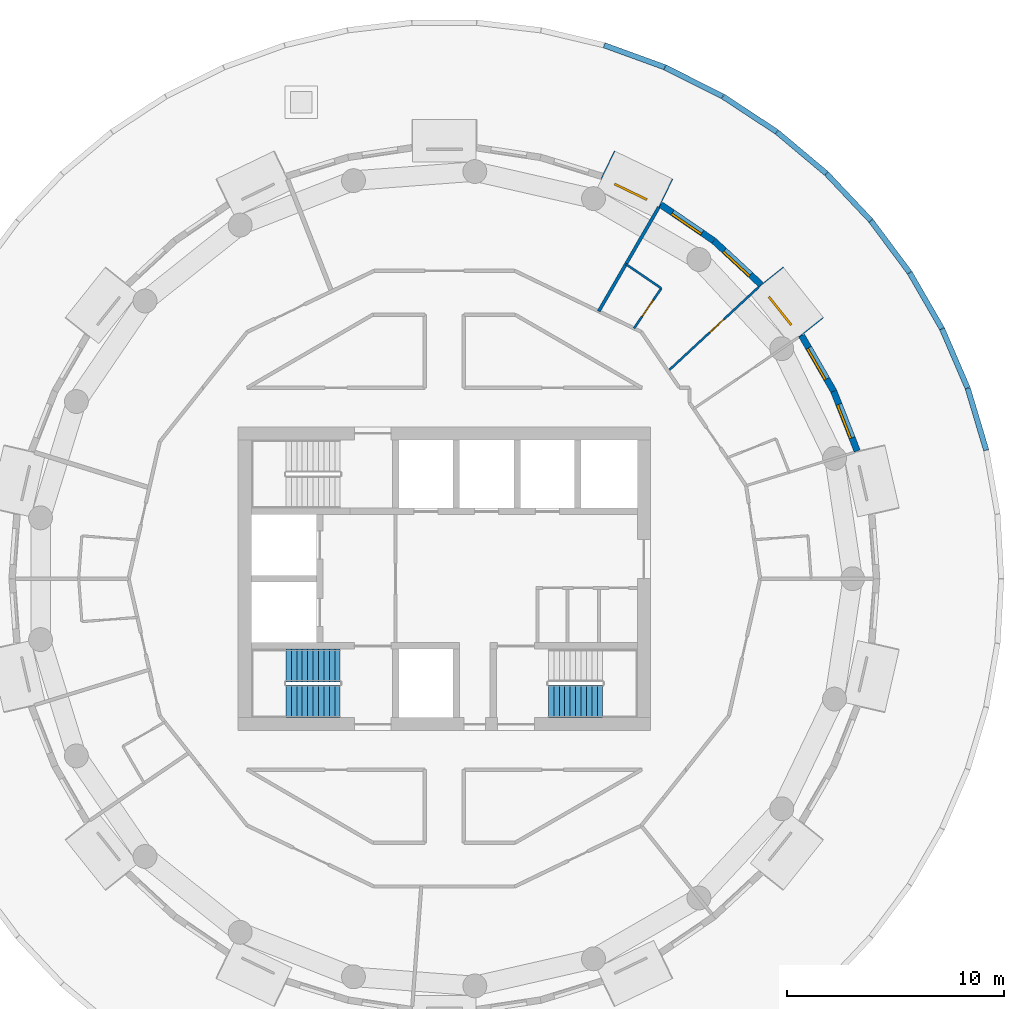
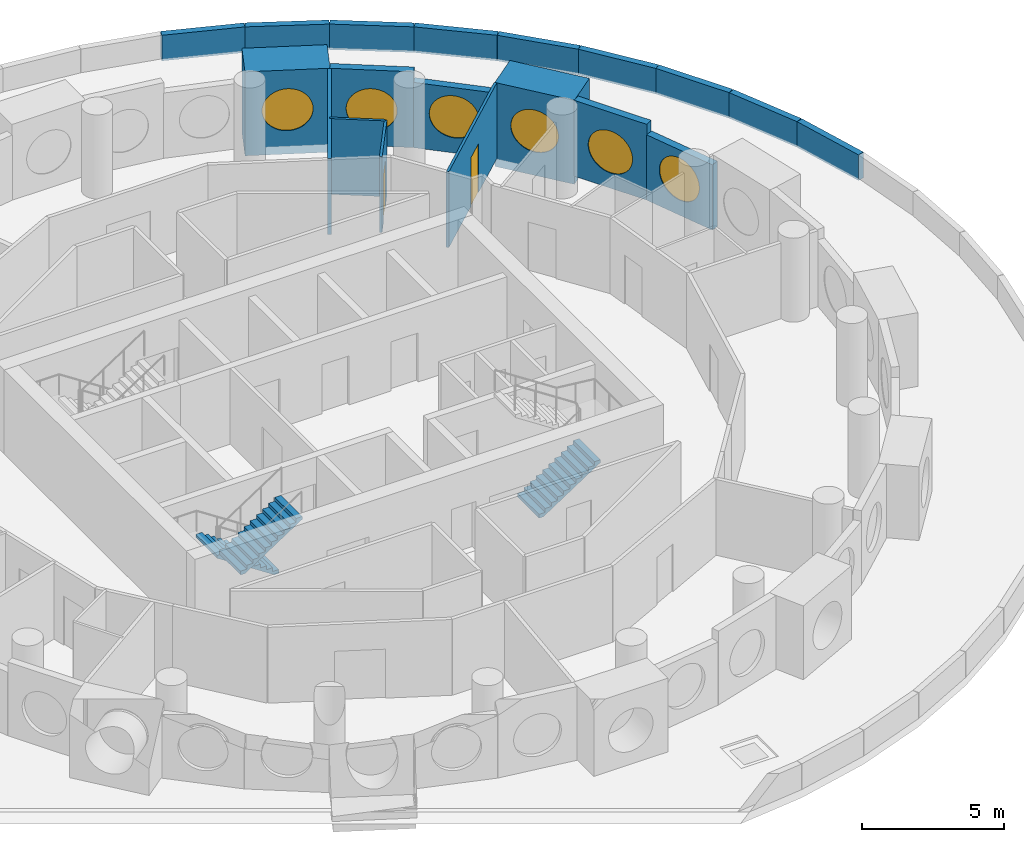
# One storey, part 10 of 13: 19 walls, 6 windows, 3 stair flights, 2 doors, 8 openings, 2 elements without a shape of their own.
"""IFC4 building model written with IfcOpenShell, lengths in metres."""

from ifc_helpers import new_model, si_unit, direction, frame, frame_2d, origin, origin_2d, place, context, subcontext, project, spatial, polyline, rectangle, circle, outline, extrude, material, layer, layer_set, type_object, element, fill, aggregate, save


model = new_model("IFC4")

# Units and contexts
model_context = context("Model", 3, precision=1e-05, world=origin(), true_north=direction((0.0, 1.0)))
body_context = subcontext(model_context, "Body", "Model", "MODEL_VIEW")
ifc_project = project(units=[si_unit("LENGTHUNIT", "METRE"), si_unit("AREAUNIT", "SQUARE_METRE"), si_unit("VOLUMEUNIT", "CUBIC_METRE"), si_unit("PLANEANGLEUNIT", "RADIAN"), si_unit("MASSUNIT", "GRAM", prefix="KILO")], contexts=[model_context])

# Site, building, storey
site_placement = place(None, origin())
site = spatial("IfcSite", under=ifc_project, at=site_placement, CompositionType="ELEMENT")
building_placement = place(site_placement, origin())
building = spatial("IfcBuilding", under=site, at=building_placement, Name="Tracery Tower", CompositionType="ELEMENT")
storey_placement = place(building_placement, frame((0.0, 0.0, 231.0)))
storey = spatial("IfcBuildingStorey", under=building, at=storey_placement, Name="L59", CompositionType="ELEMENT", Elevation=231.0)

# Wall, opening, window
ifc_material_1 = material(Name="Precast concrete C50/60", Category="concrete")
ifc_layer_1 = layer(ifc_material_1, 1.449951171875)
ifc_layer_set_1 = layer_set([ifc_layer_1], Name="Deep-set bay unit 3000 x 3600, slab edge 350")
wall_type_1 = type_object("IfcWallType", Name="Deep-set bay unit 3000 x 3600, slab edge 350", PredefinedType="ELEMENTEDWALL", material=ifc_layer_set_1)
wall_1_placement = place(storey_placement, frame((16.916748046875, 11.572021484375, -0.35009765625), z_axis=(0.0, 0.0, 1.0), x_axis=(-0.623523286312, 0.781804778335, 0.0)))
wall_1 = element("IfcWall", 1, at=wall_1_placement, inside=storey, type_object=wall_type_1, Name="Deep-set bay unit 5 at L59", PredefinedType="ELEMENTEDWALL", context=body_context, shape_type="SweptSolid", body=[
    extrude(rectangle(XDim=3.0, YDim=1.449951171875, at=frame_2d((1.5, 0.0))), origin(), (0.0, 0.0, 1.0), 3.60009765625),
])
opening_1_placement = place(wall_1_placement, frame((1.5, 0.0, 1.89990234375)))
opening_1 = element("IfcOpeningElement", 2, at=opening_1_placement, cuts=wall_1, Name="Opening WN1", PredefinedType="OPENING", context=body_context, shape_type="SweptSolid", body=[
    extrude(circle(Radius=0.9000244140625, at=origin_2d()), frame((0.0, 0.73486328125, 0.0), z_axis=(0.0, -1.0, 0.0), x_axis=(1.0, 0.0, 0.0)), (0.0, 0.0, 1.0), 1.469970703125),
])
ifc_material_2 = material(Name="Aluminium frame with tinted double glazing", Category="aluminium")
window_type = type_object("IfcWindowType", Name="Round window 1800", PartitioningType="SINGLE_PANEL", PredefinedType="WINDOW", material=ifc_material_2)
window_1_placement = place(opening_1_placement, origin())
window_1 = element("IfcWindow", 3, at=window_1_placement, inside=storey, type_object=window_type, Name="Round window 5 at L59", OverallHeight=1.800048828125, OverallWidth=1.800048828125, PartitioningType="SINGLE_PANEL", PredefinedType="WINDOW", context=body_context, shape_type="SweptSolid", body=[
    extrude(circle(Radius=0.9000244140625, at=origin_2d()), frame((0.0, 0.69482421875, 0.0), z_axis=(0.0, -1.0, 0.0), x_axis=(1.0, 0.0, 0.0)), (0.0, 0.0, 1.0), 0.10009765625),
])
fill(opening_1, window_1)

wall_2_placement = place(storey_placement, frame((10.220458984375, 17.765869140625, -0.35009765625), z_axis=(0.0, 0.0, 1.0), x_axis=(-0.900953362039, 0.433915935904, 0.0)))
wall_2 = element("IfcWall", 4, at=wall_2_placement, inside=storey, type_object=wall_type_1, Name="Deep-set bay unit 8 at L59", PredefinedType="ELEMENTEDWALL", context=body_context, shape_type="SweptSolid", body=[
    extrude(rectangle(XDim=3.0, YDim=1.449951171875, at=frame_2d((1.5, 0.0))), origin(), (0.0, 0.0, 1.0), 3.60009765625),
])
opening_2_placement = place(wall_2_placement, frame((1.5, 0.0, 1.89990234375)))
opening_2 = element("IfcOpeningElement", 5, at=opening_2_placement, cuts=wall_2, Name="Opening WN1", PredefinedType="OPENING", context=body_context, shape_type="SweptSolid", body=[
    extrude(circle(Radius=0.9000244140625, at=origin_2d()), frame((0.0, 0.73486328125, 0.0), z_axis=(0.0, -1.0, 0.0), x_axis=(1.0, 0.0, 0.0)), (0.0, 0.0, 1.0), 1.469970703125),
])
window_2_placement = place(opening_2_placement, origin())
window_2 = element("IfcWindow", 6, at=window_2_placement, inside=storey, type_object=window_type, Name="Round window 8 at L59", OverallHeight=1.800048828125, OverallWidth=1.800048828125, PartitioningType="SINGLE_PANEL", PredefinedType="WINDOW", context=body_context, shape_type="SweptSolid", body=[
    extrude(circle(Radius=0.9000244140625, at=origin_2d()), frame((0.0, 0.69482421875, 0.0), z_axis=(0.0, -1.0, 0.0), x_axis=(1.0, 0.0, 0.0)), (0.0, 0.0, 1.0), 0.10009765625),
])
fill(opening_2, window_2)

ifc_material_3 = material(Name="Precast concrete C50/60", Category="concrete")
ifc_layer_2 = layer(ifc_material_3, 0.300048828125)
ifc_layer_set_2 = layer_set([ifc_layer_2], Name="Facade panel 3000 x 2800")
wall_type_2 = type_object("IfcWallType", Name="Facade panel 3000 x 2800", PredefinedType="SOLIDWALL", material=ifc_layer_set_2)
wall_3_placement = place(storey_placement, frame((19.03125, 5.88623046875, 0.0), z_axis=(0.0, 0.0, 1.0), x_axis=(-0.365343821297, 0.930872650925, 0.0)))
wall_3 = element("IfcWall", 7, at=wall_3_placement, inside=storey, type_object=wall_type_2, Name="Facade panel 3 at L59", PredefinedType="SOLIDWALL", context=body_context, shape_type="SweptSolid", body=[
    extrude(rectangle(XDim=2.96240234375, YDim=0.300048828125, at=frame_2d((1.481201171875, 0.0))), origin(), (0.0, 0.0, 1.0), 2.800048828125),
])
opening_3_placement = place(wall_3_placement, frame((1.48095703125, 0.0, 1.5498046875)))
opening_3 = element("IfcOpeningElement", 8, at=opening_3_placement, cuts=wall_3, Name="Opening WN1", PredefinedType="OPENING", context=body_context, shape_type="SweptSolid", body=[
    extrude(circle(Radius=0.9000244140625, at=origin_2d()), frame((0.0, 0.159912109375, 0.0), z_axis=(0.0, -1.0, 0.0), x_axis=(1.0, 0.0, 0.0)), (0.0, 0.0, 1.0), 0.320068359375),
])
window_3_placement = place(opening_3_placement, origin())
window_3 = element("IfcWindow", 9, at=window_3_placement, inside=storey, type_object=window_type, Name="Round window 3 at L59", OverallHeight=1.800048828125, OverallWidth=1.800048828125, PartitioningType="SINGLE_PANEL", PredefinedType="WINDOW", context=body_context, shape_type="SweptSolid", body=[
    extrude(circle(Radius=0.9000244140625, at=origin_2d()), frame((0.0, 0.1201171875, 0.0), z_axis=(0.0, -1.0, 0.0), x_axis=(1.0, 0.0, 0.0)), (0.0, 0.0, 1.0), 0.10009765625),
])
fill(opening_3, window_3)

wall_4_placement = place(storey_placement, frame((14.592529296875, 13.560546875, 0.0), z_axis=(0.0, 0.0, 1.0), x_axis=(-0.733028283666, 0.680198158882, 0.0)))
wall_4 = element("IfcWall", 10, at=wall_4_placement, inside=storey, type_object=wall_type_2, Name="Facade panel 6 at L59", PredefinedType="SOLIDWALL", context=body_context, shape_type="SweptSolid", body=[
    extrude(rectangle(XDim=2.962158203125, YDim=0.300048828125, at=frame_2d((1.48095703125, 0.0))), origin(), (0.0, 0.0, 1.0), 2.800048828125),
])
opening_4_placement = place(wall_4_placement, frame((1.48095703125, 0.0, 1.5498046875)))
opening_4 = element("IfcOpeningElement", 11, at=opening_4_placement, cuts=wall_4, Name="Opening WN1", PredefinedType="OPENING", context=body_context, shape_type="SweptSolid", body=[
    extrude(circle(Radius=0.9000244140625, at=origin_2d()), frame((0.0, 0.159912109375, 0.0), z_axis=(0.0, -1.0, 0.0), x_axis=(1.0, 0.0, 0.0)), (0.0, 0.0, 1.0), 0.320068359375),
])
window_4_placement = place(opening_4_placement, origin())
window_4 = element("IfcWindow", 12, at=window_4_placement, inside=storey, type_object=window_type, Name="Round window 6 at L59", OverallHeight=1.800048828125, OverallWidth=1.800048828125, PartitioningType="SINGLE_PANEL", PredefinedType="WINDOW", context=body_context, shape_type="SweptSolid", body=[
    extrude(circle(Radius=0.9000244140625, at=origin_2d()), frame((0.0, 0.1201171875, 0.0), z_axis=(0.0, -1.0, 0.0), x_axis=(1.0, 0.0, 0.0)), (0.0, 0.0, 1.0), 0.10009765625),
])
fill(opening_4, window_4)

ifc_material_4 = material(Name="Precast concrete C50/60", Category="concrete")
ifc_layer_3 = layer(ifc_material_4, 0.300048828125)
ifc_layer_set_3 = layer_set([ifc_layer_3], Name="Facade panel 3000 x 3250")
wall_type_3 = type_object("IfcWallType", Name="Facade panel 3000 x 3250", PredefinedType="SOLIDWALL", material=ifc_layer_set_3)
wall_5_placement = place(storey_placement, frame((17.948974609375, 8.643798828125, 0.0), z_axis=(0.0, 0.0, 1.0), x_axis=(-0.500012570604, 0.866018146021, 0.0)))
wall_5 = element("IfcWall", 13, at=wall_5_placement, inside=storey, type_object=wall_type_3, Name="Facade panel 4 at L59", PredefinedType="SOLIDWALL", context=body_context, shape_type="SweptSolid", body=[
    extrude(rectangle(XDim=2.96240234375, YDim=0.300048828125, at=frame_2d((1.481201171875, 0.0))), origin(), (0.0, 0.0, 1.0), 3.25),
])
opening_5_placement = place(wall_5_placement, frame((1.48095703125, 0.0, 1.5498046875)))
opening_5 = element("IfcOpeningElement", 14, at=opening_5_placement, cuts=wall_5, Name="Opening WN1", PredefinedType="OPENING", context=body_context, shape_type="SweptSolid", body=[
    extrude(circle(Radius=0.9000244140625, at=origin_2d()), frame((0.0, 0.159912109375, 0.0), z_axis=(0.0, -1.0, 0.0), x_axis=(1.0, 0.0, 0.0)), (0.0, 0.0, 1.0), 0.320068359375),
])
window_5_placement = place(opening_5_placement, origin())
window_5 = element("IfcWindow", 15, at=window_5_placement, inside=storey, type_object=window_type, Name="Round window 4 at L59", OverallHeight=1.800048828125, OverallWidth=1.800048828125, PartitioningType="SINGLE_PANEL", PredefinedType="WINDOW", context=body_context, shape_type="SweptSolid", body=[
    extrude(circle(Radius=0.9000244140625, at=origin_2d()), frame((0.0, 0.1201171875, 0.0), z_axis=(0.0, -1.0, 0.0), x_axis=(1.0, 0.0, 0.0)), (0.0, 0.0, 1.0), 0.10009765625),
])
fill(opening_5, window_5)

wall_6_placement = place(storey_placement, frame((12.421142578125, 15.575439453125, 0.0), z_axis=(0.0, 0.0, 1.0), x_axis=(-0.826236061068, 0.563324037646, 0.0)))
wall_6 = element("IfcWall", 16, at=wall_6_placement, inside=storey, type_object=wall_type_3, Name="Facade panel 7 at L59", PredefinedType="SOLIDWALL", context=body_context, shape_type="SweptSolid", body=[
    extrude(rectangle(XDim=2.962158203125, YDim=0.300048828125, at=frame_2d((1.48095703125, 0.0))), origin(), (0.0, 0.0, 1.0), 3.25),
])
opening_6_placement = place(wall_6_placement, frame((1.48095703125, 0.0, 1.5498046875)))
opening_6 = element("IfcOpeningElement", 17, at=opening_6_placement, cuts=wall_6, Name="Opening WN1", PredefinedType="OPENING", context=body_context, shape_type="SweptSolid", body=[
    extrude(circle(Radius=0.9000244140625, at=origin_2d()), frame((0.0, 0.159912109375, 0.0), z_axis=(0.0, -1.0, 0.0), x_axis=(1.0, 0.0, 0.0)), (0.0, 0.0, 1.0), 0.320068359375),
])
window_6_placement = place(opening_6_placement, origin())
window_6 = element("IfcWindow", 18, at=window_6_placement, inside=storey, type_object=window_type, Name="Round window 7 at L59", OverallHeight=1.800048828125, OverallWidth=1.800048828125, PartitioningType="SINGLE_PANEL", PredefinedType="WINDOW", context=body_context, shape_type="SweptSolid", body=[
    extrude(circle(Radius=0.9000244140625, at=origin_2d()), frame((0.0, 0.1201171875, 0.0), z_axis=(0.0, -1.0, 0.0), x_axis=(1.0, 0.0, 0.0)), (0.0, 0.0, 1.0), 0.10009765625),
])
fill(opening_6, window_6)

# Wall, opening, door
ifc_material_5 = material(Name="Plasterboard on steel studs", Category="steel")
ifc_layer_4 = layer(ifc_material_5, 0.10009765625)
ifc_layer_set_4 = layer_set([ifc_layer_4], Name="Partition 100 stud")
wall_type_4 = type_object("IfcWallType", Name="Partition 100 stud", PredefinedType="PARTITIONING", material=ifc_layer_set_4)
wall_7_placement = place(storey_placement, frame((10.31201171875, 9.568115234375, 0.0), z_axis=(0.0, 0.0, 1.0), x_axis=(0.733002312561, 0.680226146057, 0.0)))
wall_7 = element("IfcWall", 19, at=wall_7_placement, inside=storey, type_object=wall_type_4, Name="Stud partition RC1-050", PredefinedType="PARTITIONING", context=body_context, shape_type="SweptSolid", body=[
    extrude(rectangle(XDim=5.703857421875, YDim=0.10009765625, at=frame_2d((2.85205078125, 0.0))), origin(), (0.0, 0.0, 1.0), 3.25),
])
opening_7_placement = place(wall_7_placement, frame((2.6220703125, 0.0, 0.0)))
opening_7 = element("IfcOpeningElement", 20, at=opening_7_placement, cuts=wall_7, Name="Opening RC1-10", PredefinedType="OPENING", context=body_context, shape_type="SweptSolid", body=[
    extrude(rectangle(XDim=0.89990234375, YDim=2.10009765625, at=frame_2d((0.449951171875, 1.050048828125))), frame((0.0, 0.050048828125, 0.0), z_axis=(0.0, -1.0, 0.0), x_axis=(1.0, 0.0, 0.0)), (0.0, 0.0, 1.0), 0.10009765625),
])
ifc_material_6 = material(Name="Timber door leaf", Category="wood")
door_type_1 = type_object("IfcDoorType", Name="Door bedroom 900", OperationType="NOTDEFINED", PredefinedType="DOOR", material=ifc_material_6)
door_1_placement = place(opening_7_placement, origin())
door_1 = element("IfcDoor", 21, at=door_1_placement, inside=storey, type_object=door_type_1, Name="Bedroom door RC1-10", OperationType="SINGLE_SWING_RIGHT", OverallHeight=2.10009765625, OverallWidth=0.89990234375, PredefinedType="DOOR", context=body_context, shape_type="SweptSolid", body=[
    extrude(rectangle(XDim=0.89990234375, YDim=2.10009765625, at=frame_2d((0.449951171875, 1.050048828125))), frame((0.0, 0.02490234375, 0.0), z_axis=(0.0, -1.0, 0.0), x_axis=(1.0, 0.0, 0.0)), (0.0, 0.0, 1.0), 0.050048828125),
])
fill(opening_7, door_1)

ifc_material_7 = material(Name="Plasterboard on steel studs", Category="steel")
ifc_layer_5 = layer(ifc_material_7, 0.10009765625)
ifc_layer_set_5 = layer_set([ifc_layer_5], Name="Partition 100 wet wall")
wall_type_5 = type_object("IfcWallType", Name="Partition 100 wet wall", PredefinedType="PARTITIONING", material=ifc_layer_set_5)
wall_8_placement = place(storey_placement, frame((8.742919921875, 11.541015625, 0.0), z_axis=(0.0, 0.0, 1.0), x_axis=(0.563469042551, 0.826137178734, 0.0)))
wall_8 = element("IfcWall", 22, at=wall_8_placement, inside=storey, type_object=wall_type_5, Name="Wet wall RC1-055", PredefinedType="PARTITIONING", context=body_context, shape_type="SweptSolid", body=[
    extrude(rectangle(XDim=2.234375, YDim=0.10009765625, at=frame_2d((1.1171875, 0.0))), origin(), (0.0, 0.0, 1.0), 3.25),
])
opening_8_placement = place(wall_8_placement, frame((0.6669921875, 0.0, 0.0)))
opening_8 = element("IfcOpeningElement", 23, at=opening_8_placement, cuts=wall_8, Name="Opening RC1-11", PredefinedType="OPENING", context=body_context, shape_type="SweptSolid", body=[
    extrude(rectangle(XDim=0.89990234375, YDim=2.0400390625, at=frame_2d((0.449951171875, 1.02001953125))), frame((0.0, 0.050048828125, 0.0), z_axis=(0.0, -1.0, 0.0), x_axis=(1.0, 0.0, 0.0)), (0.0, 0.0, 1.0), 0.10009765625),
])
ifc_material_8 = material(Name="Timber door leaf", Category="wood")
door_type_2 = type_object("IfcDoorType", Name="Door en-suite 900", OperationType="NOTDEFINED", PredefinedType="DOOR", material=ifc_material_8)
door_2_placement = place(opening_8_placement, origin())
door_2 = element("IfcDoor", 24, at=door_2_placement, inside=storey, type_object=door_type_2, Name="En-suite door RC1-11", OperationType="SINGLE_SWING_LEFT", OverallHeight=2.0400390625, OverallWidth=0.89990234375, PredefinedType="DOOR", context=body_context, shape_type="SweptSolid", body=[
    extrude(rectangle(XDim=0.89990234375, YDim=2.0400390625, at=frame_2d((0.449951171875, 1.02001953125))), frame((0.0, 0.02490234375, 0.0), z_axis=(0.0, -1.0, 0.0), x_axis=(1.0, 0.0, 0.0)), (0.0, 0.0, 1.0), 0.050048828125),
])
fill(opening_8, door_2)

# Walls
wall_9_placement = place(storey_placement, frame((8.37109375, 14.4990234375, 0.0), z_axis=(0.0, 0.0, 1.0), x_axis=(0.82620117489, -0.563375202339, 0.0)))
element("IfcWall", 25, at=wall_9_placement, inside=storey, type_object=wall_type_5, Name="Wet wall RC1-056", PredefinedType="PARTITIONING", context=body_context, shape_type="SweptSolid", body=[
    extrude(rectangle(XDim=1.973876953125, YDim=0.10009765625, at=frame_2d((0.98681640625, 0.0))), origin(), (0.0, 0.0, 1.0), 3.25),
])
ifc_material_9 = material(Name="Plasterboard on steel studs", Category="steel")
ifc_layer_6 = layer(ifc_material_9, 0.14990234375)
ifc_layer_set_6 = layer_set([ifc_layer_6], Name="Partition 150 acoustic unit wall")
wall_type_6 = type_object("IfcWallType", Name="Partition 150 acoustic unit wall", PredefinedType="PARTITIONING", material=ifc_layer_set_6)
wall_10_placement = place(storey_placement, frame((7.115478515625, 12.3251953125, 0.0), z_axis=(0.0, 0.0, 1.0), x_axis=(0.500139547481, 0.865944821017, 0.0)))
element("IfcWall", 26, at=wall_10_placement, inside=storey, type_object=wall_type_6, Name="Unit wall RC1-057", PredefinedType="PARTITIONING", context=body_context, shape_type="SweptSolid", body=[
    extrude(rectangle(XDim=5.53955078125, YDim=0.14990234375, at=frame_2d((2.769775390625, 0.0))), origin(), (0.0, 0.0, 1.0), 3.25),
])
ifc_material_10 = material(Name="Precast concrete C50/60", Category="concrete")
ifc_layer_7 = layer(ifc_material_10, 0.25)
ifc_layer_set_7 = layer_set([ifc_layer_7], Name="Terrace parapet 250")
wall_type_7 = type_object("IfcWallType", Name="Terrace parapet 250", PredefinedType="PARAPET", material=ifc_layer_set_7)
for number, where, z_axis, x_axis, name in (
    (27, (24.97802734375, 5.928466796875, 0.0), (0.0, 0.0, 1.0), (-0.286744288162, 0.958007157179, 0.0), "Terrace parapet L59 3"),
    (28, (24.12109375, 8.7880859375, 0.0), (0.0, 0.0, 1.0), (-0.396111502738, 0.918202416354, 0.0), "Terrace parapet L59 4"),
):
    element("IfcWall", number, at=place(storey_placement, frame(where, z_axis=z_axis, x_axis=x_axis)), inside=storey, type_object=wall_type_7, Name=name, PredefinedType="PARAPET", context=body_context, shape_type="SweptSolid", body=[
        extrude(rectangle(XDim=2.968994140625, YDim=0.25, at=frame_2d((1.484375, 0.0))), origin(), (0.0, 0.0, 1.0), 1.10009765625),
    ])
for number, where, z_axis, x_axis, name in (
    (29, (22.9375, 11.529052734375, 0.0), (0.0, 0.0, 1.0), (-0.499995331975, 0.866028098853, 0.0), "Terrace parapet L59 5"),
    (30, (21.444091796875, 14.114013671875, 0.0), (0.0, 0.0, 1.0), (-0.597180604303, 0.802106804512, 0.0), "Terrace parapet L59 6"),
    (31, (19.66064453125, 16.508056640625, 0.0), (0.0, 0.0, 1.0), (-0.686249159737, 0.727366544982, 0.0), "Terrace parapet L59 7"),
    (32, (17.611083984375, 18.6787109375, 0.0), (0.0, 0.0, 1.0), (-0.766012577195, 0.642825584104, 0.0), "Terrace parapet L59 8"),
    (33, (15.323486328125, 20.596923828125, 0.0), (0.0, 0.0, 1.0), (-0.83543794874, 0.549584783092, 0.0), "Terrace parapet L59 9"),
    (34, (12.828857421875, 22.23681640625, 0.0), (0.0, 0.0, 1.0), (-0.893652841429, 0.448758954235, 0.0), "Terrace parapet L59 10"),
):
    element("IfcWall", number, at=place(storey_placement, frame(where, z_axis=z_axis, x_axis=x_axis)), inside=storey, type_object=wall_type_7, Name=name, PredefinedType="PARAPET", context=body_context, shape_type="SweptSolid", body=[
        extrude(rectangle(XDim=2.96875, YDim=0.25, at=frame_2d((1.484375, 0.0))), origin(), (0.0, 0.0, 1.0), 1.10009765625),
    ])
wall_11_placement = place(storey_placement, frame((10.16064453125, 23.57568359375, 0.0), z_axis=(0.0, 0.0, 1.0), x_axis=(-0.93970456121, 0.341987335498, 0.0)))
element("IfcWall", 35, at=wall_11_placement, inside=storey, type_object=wall_type_7, Name="Terrace parapet L59 11", PredefinedType="PARAPET", context=body_context, shape_type="SweptSolid", body=[
    extrude(rectangle(XDim=2.968994140625, YDim=0.25, at=frame_2d((1.484375, 0.0))), origin(), (0.0, 0.0, 1.0), 1.10009765625),
])

# Stair, stair flights
ifc_material_11 = material(Name="Concrete C32/40", Category="concrete")
stair_type = type_object("IfcStairType", Name="Core stair 22 risers", PredefinedType="HALF_TURN_STAIR", material=ifc_material_11)
stair_1_placement = place(storey_placement, origin())
stair_1 = element("IfcStair", 36, at=stair_1_placement, inside=storey, type_object=stair_type, Name="L59 stair ST1", PredefinedType="HALF_TURN_STAIR")
ifc_material_12 = material(Name="Concrete C32/40", Category="concrete")
stair_flight_type = type_object("IfcStairFlightType", Name="Core stair flight 11 risers", PredefinedType="STRAIGHT", material=ifc_material_12)
stair_flight_1_placement = place(storey_placement, frame((-4.800048828125, -4.0, 0.0), z_axis=(0.0, 0.0, 1.0), x_axis=(-1.0, 0.0, 0.0)))
stair_flight_1 = element("IfcStairFlight", 37, at=stair_flight_1_placement, type_object=stair_flight_type, Name="ST1 flight 1", NumberOfRisers=11, NumberOfTreads=10, PredefinedType="STRAIGHT", RiserHeight=0.163636364, TreadLength=0.25, context=body_context, shape_type="SweptSolid", body=[
    extrude(outline(polyline([(0.0, 0.0), (0.0, 0.002685546875), (0.0, 0.00537109375), (0.0, 0.008056640625), (0.0, 0.0107421875), (0.0, 0.013427734375), (0.0, 0.01611328125), (0.0, 0.018798828125), (0.0, 0.021484375), (0.0, 0.024169921875), (0.0, 0.02685546875), (0.0, 0.029541015625), (0.0, 0.0322265625), (0.0, 0.034912109375), (0.0, 0.03759765625), (0.0, 0.040283203125), (0.0, 0.04296875), (0.0, 0.045654296875), (0.0, 0.04833984375), (0.0, 0.051025390625), (0.0, 0.0537109375), (0.0, 0.056396484375), (0.0, 0.05908203125), (0.0, 0.061767578125), (0.0, 0.064453125), (0.0, 0.067138671875), (0.0, 0.06982421875), (0.0, 0.072509765625), (0.0, 0.0751953125), (0.0, 0.077880859375), (0.0, 0.08056640625), (0.0, 0.083251953125), (0.0, 0.0859375), (0.0, 0.088623046875), (0.0, 0.09130859375), (0.0, 0.093994140625), (0.0, 0.0966796875), (0.0, 0.099365234375), (0.0, 0.10205078125), (0.0, 0.104736328125), (0.0, 0.107421875), (0.0, 0.10986328125), (0.0, 0.112548828125), (0.0, 0.115234375), (0.0, 0.117919921875), (0.0, 0.12060546875), (0.0, 0.123291015625), (0.0, 0.1259765625), (0.0, 0.128662109375), (0.0, 0.13134765625), (0.0, 0.134033203125), (0.0, 0.13671875), (0.0, 0.139404296875), (0.0, 0.14208984375), (0.0, 0.144775390625), (0.0, 0.1474609375), (0.0, 0.150146484375), (0.0, 0.15283203125), (0.0, 0.155517578125), (0.0, 0.158203125), (0.0, 0.160888671875), (0.0, 0.16357421875), (0.25, 0.16357421875), (0.25, 0.327392578125), (0.5, 0.327392578125), (0.5, 0.490966796875), (0.75, 0.490966796875), (0.75, 0.654541015625), (1.0, 0.654541015625), (1.0, 0.818115234375), (1.25, 0.818115234375), (1.25, 0.98193359375), (1.5, 0.98193359375), (1.5, 1.1455078125), (1.75, 1.1455078125), (1.75, 1.30908203125), (2.0, 1.30908203125), (2.0, 1.47265625), (2.25, 1.47265625), (2.25, 1.636474609375), (2.5, 1.636474609375), (2.5, 1.634521484375), (2.5, 1.63232421875), (2.5, 1.63037109375), (2.5, 1.62841796875), (2.5, 1.62646484375), (2.5, 1.62451171875), (2.5, 1.62255859375), (2.5, 1.62060546875), (2.5, 1.61865234375), (2.5, 1.61669921875), (2.5, 1.61474609375), (2.5, 1.61279296875), (2.5, 1.61083984375), (2.5, 1.60888671875), (2.5, 1.60693359375), (2.5, 1.60498046875), (2.5, 1.60302734375), (2.5, 1.60107421875), (2.5, 1.59912109375), (2.5, 1.59716796875), (2.5, 1.59521484375), (2.5, 1.59326171875), (2.5, 1.59130859375), (2.5, 1.58935546875), (2.5, 1.58740234375), (2.5, 1.58544921875), (2.5, 1.58349609375), (2.5, 1.58154296875), (2.5, 1.57958984375), (2.5, 1.57763671875), (2.5, 1.57568359375), (2.5, 1.573486328125), (2.5, 1.571533203125), (2.5, 1.569580078125), (2.5, 1.567626953125), (2.5, 1.565673828125), (2.5, 1.563720703125), (2.5, 1.561767578125), (2.5, 1.559814453125), (2.5, 1.557861328125), (2.5, 1.555908203125), (2.5, 1.553955078125), (2.5, 1.552001953125), (2.5, 1.550048828125), (2.5, 1.548095703125), (2.5, 1.546142578125), (2.5, 1.544189453125), (2.5, 1.542236328125), (2.5, 1.540283203125), (2.5, 1.538330078125), (2.5, 1.536376953125), (2.5, 1.534423828125), (2.5, 1.532470703125), (2.5, 1.530517578125), (2.5, 1.528564453125), (2.5, 1.526611328125), (2.5, 1.524658203125), (2.5, 1.522705078125), (2.5, 1.520751953125), (2.5, 1.518798828125), (2.5, 1.516845703125), (0.182861328125, 0.0), (0.0, 0.0)])), frame((0.0, 0.75, 0.0), z_axis=(0.0, -1.0, 0.0), x_axis=(1.0, 0.0, 0.0)), (0.0, 0.0, 1.0), 1.5),
])
stair_flight_2_placement = place(storey_placement, frame((-7.300048828125, -5.64990234375, 1.800048828125), z_axis=(0.0, 0.0, 1.0), x_axis=(1.0, 0.0, 0.0)))
stair_flight_2 = element("IfcStairFlight", 38, at=stair_flight_2_placement, type_object=stair_flight_type, Name="ST1 flight 2", NumberOfRisers=11, NumberOfTreads=10, PredefinedType="STRAIGHT", RiserHeight=0.163636364, TreadLength=0.25, context=body_context, shape_type="SweptSolid", body=[
    extrude(outline(polyline([(0.0, 0.0), (0.0, 0.002685546875), (0.0, 0.00537109375), (0.0, 0.008056640625), (0.0, 0.0107421875), (0.0, 0.013427734375), (0.0, 0.01611328125), (0.0, 0.018798828125), (0.0, 0.021484375), (0.0, 0.024169921875), (0.0, 0.02685546875), (0.0, 0.029541015625), (0.0, 0.0322265625), (0.0, 0.034912109375), (0.0, 0.03759765625), (0.0, 0.040283203125), (0.0, 0.04296875), (0.0, 0.045654296875), (0.0, 0.04833984375), (0.0, 0.051025390625), (0.0, 0.0537109375), (0.0, 0.056396484375), (0.0, 0.05908203125), (0.0, 0.061767578125), (0.0, 0.064453125), (0.0, 0.067138671875), (0.0, 0.06982421875), (0.0, 0.072509765625), (0.0, 0.0751953125), (0.0, 0.077880859375), (0.0, 0.08056640625), (0.0, 0.083251953125), (0.0, 0.0859375), (0.0, 0.088623046875), (0.0, 0.09130859375), (0.0, 0.093994140625), (0.0, 0.0966796875), (0.0, 0.099365234375), (0.0, 0.10205078125), (0.0, 0.104736328125), (0.0, 0.107421875), (0.0, 0.10986328125), (0.0, 0.112548828125), (0.0, 0.115234375), (0.0, 0.117919921875), (0.0, 0.12060546875), (0.0, 0.123291015625), (0.0, 0.1259765625), (0.0, 0.128662109375), (0.0, 0.13134765625), (0.0, 0.134033203125), (0.0, 0.13671875), (0.0, 0.139404296875), (0.0, 0.14208984375), (0.0, 0.144775390625), (0.0, 0.1474609375), (0.0, 0.150146484375), (0.0, 0.15283203125), (0.0, 0.155517578125), (0.0, 0.158203125), (0.0, 0.160888671875), (0.0, 0.16357421875), (0.25, 0.16357421875), (0.25, 0.327392578125), (0.5, 0.327392578125), (0.5, 0.490966796875), (0.75, 0.490966796875), (0.75, 0.654541015625), (1.0, 0.654541015625), (1.0, 0.818115234375), (1.25, 0.818115234375), (1.25, 0.98193359375), (1.5, 0.98193359375), (1.5, 1.1455078125), (1.75, 1.1455078125), (1.75, 1.30908203125), (2.0, 1.30908203125), (2.0, 1.47265625), (2.25, 1.47265625), (2.25, 1.636474609375), (2.5, 1.636474609375), (2.5, 1.634521484375), (2.5, 1.63232421875), (2.5, 1.63037109375), (2.5, 1.62841796875), (2.5, 1.62646484375), (2.5, 1.62451171875), (2.5, 1.62255859375), (2.5, 1.62060546875), (2.5, 1.61865234375), (2.5, 1.61669921875), (2.5, 1.61474609375), (2.5, 1.61279296875), (2.5, 1.61083984375), (2.5, 1.60888671875), (2.5, 1.60693359375), (2.5, 1.60498046875), (2.5, 1.60302734375), (2.5, 1.60107421875), (2.5, 1.59912109375), (2.5, 1.59716796875), (2.5, 1.59521484375), (2.5, 1.59326171875), (2.5, 1.59130859375), (2.5, 1.58935546875), (2.5, 1.58740234375), (2.5, 1.58544921875), (2.5, 1.58349609375), (2.5, 1.58154296875), (2.5, 1.57958984375), (2.5, 1.57763671875), (2.5, 1.57568359375), (2.5, 1.573486328125), (2.5, 1.571533203125), (2.5, 1.569580078125), (2.5, 1.567626953125), (2.5, 1.565673828125), (2.5, 1.563720703125), (2.5, 1.561767578125), (2.5, 1.559814453125), (2.5, 1.557861328125), (2.5, 1.555908203125), (2.5, 1.553955078125), (2.5, 1.552001953125), (2.5, 1.550048828125), (2.5, 1.548095703125), (2.5, 1.546142578125), (2.5, 1.544189453125), (2.5, 1.542236328125), (2.5, 1.540283203125), (2.5, 1.538330078125), (2.5, 1.536376953125), (2.5, 1.534423828125), (2.5, 1.532470703125), (2.5, 1.530517578125), (2.5, 1.528564453125), (2.5, 1.526611328125), (2.5, 1.524658203125), (2.5, 1.522705078125), (2.5, 1.520751953125), (2.5, 1.518798828125), (2.5, 1.516845703125), (0.182861328125, 0.0), (0.0, 0.0)])), frame((0.0, 0.75, 0.0), z_axis=(0.0, -1.0, 0.0), x_axis=(1.0, 0.0, 0.0)), (0.0, 0.0, 1.0), 1.5),
])
aggregate(stair_1, [stair_flight_1, stair_flight_2])

# Stair, stair flight
stair_2_placement = place(storey_placement, origin())
stair_2 = element("IfcStair", 39, at=stair_2_placement, inside=storey, type_object=stair_type, Name="L59 stair ST2", PredefinedType="HALF_TURN_STAIR")
stair_flight_3_placement = place(storey_placement, frame((4.800048828125, -5.64990234375, 0.0), z_axis=(0.0, 0.0, 1.0), x_axis=(1.0, 0.0, 0.0)))
stair_flight_3 = element("IfcStairFlight", 40, at=stair_flight_3_placement, type_object=stair_flight_type, Name="ST2 flight 1", NumberOfRisers=11, NumberOfTreads=10, PredefinedType="STRAIGHT", RiserHeight=0.163636364, TreadLength=0.25, context=body_context, shape_type="SweptSolid", body=[
    extrude(outline(polyline([(0.0, 0.0), (0.0, 0.002685546875), (0.0, 0.00537109375), (0.0, 0.008056640625), (0.0, 0.0107421875), (0.0, 0.013427734375), (0.0, 0.01611328125), (0.0, 0.018798828125), (0.0, 0.021484375), (0.0, 0.024169921875), (0.0, 0.02685546875), (0.0, 0.029541015625), (0.0, 0.0322265625), (0.0, 0.034912109375), (0.0, 0.03759765625), (0.0, 0.040283203125), (0.0, 0.04296875), (0.0, 0.045654296875), (0.0, 0.04833984375), (0.0, 0.051025390625), (0.0, 0.0537109375), (0.0, 0.056396484375), (0.0, 0.05908203125), (0.0, 0.061767578125), (0.0, 0.064453125), (0.0, 0.067138671875), (0.0, 0.06982421875), (0.0, 0.072509765625), (0.0, 0.0751953125), (0.0, 0.077880859375), (0.0, 0.08056640625), (0.0, 0.083251953125), (0.0, 0.0859375), (0.0, 0.088623046875), (0.0, 0.09130859375), (0.0, 0.093994140625), (0.0, 0.0966796875), (0.0, 0.099365234375), (0.0, 0.10205078125), (0.0, 0.104736328125), (0.0, 0.107421875), (0.0, 0.10986328125), (0.0, 0.112548828125), (0.0, 0.115234375), (0.0, 0.117919921875), (0.0, 0.12060546875), (0.0, 0.123291015625), (0.0, 0.1259765625), (0.0, 0.128662109375), (0.0, 0.13134765625), (0.0, 0.134033203125), (0.0, 0.13671875), (0.0, 0.139404296875), (0.0, 0.14208984375), (0.0, 0.144775390625), (0.0, 0.1474609375), (0.0, 0.150146484375), (0.0, 0.15283203125), (0.0, 0.155517578125), (0.0, 0.158203125), (0.0, 0.160888671875), (0.0, 0.16357421875), (0.25, 0.16357421875), (0.25, 0.327392578125), (0.5, 0.327392578125), (0.5, 0.490966796875), (0.75, 0.490966796875), (0.75, 0.654541015625), (1.0, 0.654541015625), (1.0, 0.818115234375), (1.25, 0.818115234375), (1.25, 0.98193359375), (1.5, 0.98193359375), (1.5, 1.1455078125), (1.75, 1.1455078125), (1.75, 1.30908203125), (2.0, 1.30908203125), (2.0, 1.47265625), (2.25, 1.47265625), (2.25, 1.636474609375), (2.5, 1.636474609375), (2.5, 1.634521484375), (2.5, 1.63232421875), (2.5, 1.63037109375), (2.5, 1.62841796875), (2.5, 1.62646484375), (2.5, 1.62451171875), (2.5, 1.62255859375), (2.5, 1.62060546875), (2.5, 1.61865234375), (2.5, 1.61669921875), (2.5, 1.61474609375), (2.5, 1.61279296875), (2.5, 1.61083984375), (2.5, 1.60888671875), (2.5, 1.60693359375), (2.5, 1.60498046875), (2.5, 1.60302734375), (2.5, 1.60107421875), (2.5, 1.59912109375), (2.5, 1.59716796875), (2.5, 1.59521484375), (2.5, 1.59326171875), (2.5, 1.59130859375), (2.5, 1.58935546875), (2.5, 1.58740234375), (2.5, 1.58544921875), (2.5, 1.58349609375), (2.5, 1.58154296875), (2.5, 1.57958984375), (2.5, 1.57763671875), (2.5, 1.57568359375), (2.5, 1.573486328125), (2.5, 1.571533203125), (2.5, 1.569580078125), (2.5, 1.567626953125), (2.5, 1.565673828125), (2.5, 1.563720703125), (2.5, 1.561767578125), (2.5, 1.559814453125), (2.5, 1.557861328125), (2.5, 1.555908203125), (2.5, 1.553955078125), (2.5, 1.552001953125), (2.5, 1.550048828125), (2.5, 1.548095703125), (2.5, 1.546142578125), (2.5, 1.544189453125), (2.5, 1.542236328125), (2.5, 1.540283203125), (2.5, 1.538330078125), (2.5, 1.536376953125), (2.5, 1.534423828125), (2.5, 1.532470703125), (2.5, 1.530517578125), (2.5, 1.528564453125), (2.5, 1.526611328125), (2.5, 1.524658203125), (2.5, 1.522705078125), (2.5, 1.520751953125), (2.5, 1.518798828125), (2.5, 1.516845703125), (0.182861328125, 0.0), (0.0, 0.0)])), frame((0.0, 0.75, 0.0), z_axis=(0.0, -1.0, 0.0), x_axis=(1.0, 0.0, 0.0)), (0.0, 0.0, 1.0), 1.5),
])
aggregate(stair_2, [stair_flight_3])

save(model, "model.ifc")
